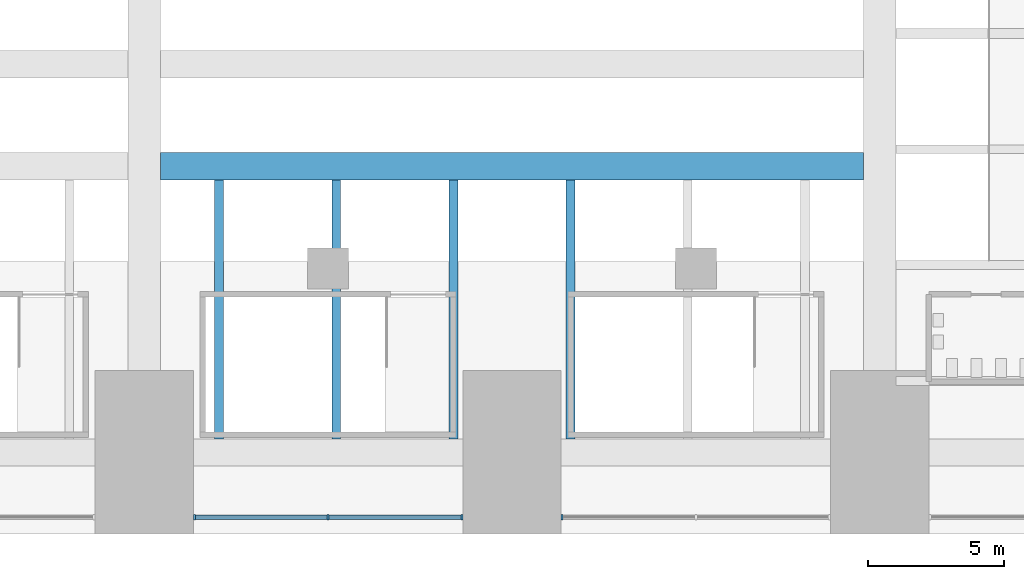
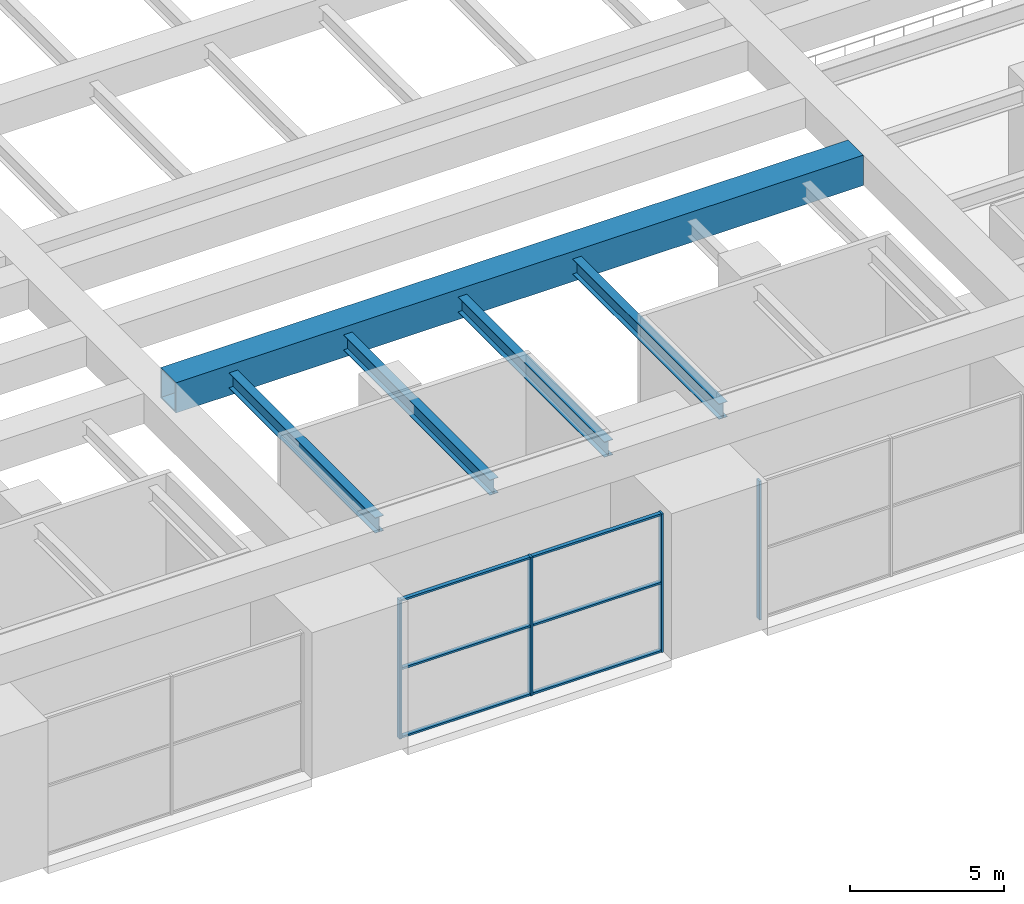
# One storey, part 6 of 45: 11 members, 4 beams, 2 elements without a shape of their own.
"""IFC4 building model written with IfcOpenShell, lengths in metres."""

from ifc_helpers import new_model, si_unit, direction, frame, origin, origin_2d, place, context, subcontext, project, spatial, rectangle, hollow_rectangle, i_section, extrude, material, layer, layer_set, material_profile, profile_set, type_object, element, aggregate, save


model = new_model("IFC4")

# Units and contexts
model_context = context("Model", 3, precision=1e-05, world=origin(), true_north=direction((0.0, 1.0)))
body_context = subcontext(model_context, "Body", "Model", "MODEL_VIEW")
ifc_project = project(units=[si_unit("LENGTHUNIT", "METRE"), si_unit("AREAUNIT", "SQUARE_METRE"), si_unit("VOLUMEUNIT", "CUBIC_METRE"), si_unit("PLANEANGLEUNIT", "RADIAN"), si_unit("MASSUNIT", "GRAM", prefix="KILO")], contexts=[model_context])

# Site, building, storey
site_placement = place(None, origin())
site = spatial("IfcSite", under=ifc_project, at=site_placement, CompositionType="ELEMENT")
building_placement = place(site_placement, origin())
building = spatial("IfcBuilding", under=site, at=building_placement, Name="Corbelhall Arena Tower", CompositionType="ELEMENT")
storey_placement = place(building_placement, frame((0.0, 0.0, 37.0)))
storey = spatial("IfcBuildingStorey", under=building, at=storey_placement, Name="L05", CompositionType="ELEMENT", Elevation=37.0)

# Curtain wall, members
ifc_material_1 = material(Name="Aluminium black anodised", Category="aluminium")
ifc_layer = layer(ifc_material_1, 0.239990234375)
ifc_layer_set = layer_set([ifc_layer], Name="EV-CW4 Arena concourse glazing")
curtain_wall_type = type_object("IfcCurtainWallType", Name="EV-CW4 Arena concourse glazing", PredefinedType="NOTDEFINED", material=ifc_layer_set)
curtain_wall_1_placement = place(storey_placement, origin())
curtain_wall_1 = element("IfcCurtainWall", 1, at=curtain_wall_1_placement, inside=storey, type_object=curtain_wall_type, Name="Curtain wall CW4", PredefinedType="NOTDEFINED")
ifc_material_profile_1 = material_profile(ifc_material_1, rectangle(XDim=0.199951171875, YDim=0.074951171875, at=origin_2d()))
ifc_profile_set_1 = profile_set([ifc_material_profile_1], Name="Aluminium black anodised")
member_type_1 = type_object("IfcMemberType", Name="EV-CW4-MULLION", PredefinedType="MULLION", material=ifc_profile_set_1)
member_1_placement = place(storey_placement, frame((1.83740234375, -38.3798828125, 0.0), z_axis=(0.0, 0.0, 1.0), x_axis=(0.0, 1.0, 0.0)))
member_1 = element("IfcMember", 2, at=member_1_placement, type_object=member_type_1, Name="CW4 mullion 1", PredefinedType="MULLION", context=body_context, shape_type="SweptSolid", body=[
    extrude(rectangle(XDim=0.199951171875, YDim=0.074951171875, at=origin_2d()), origin(), (0.0, 0.0, 1.0), 5.5),
])
member_2_placement = place(storey_placement, frame((6.75, -38.3798828125, 0.0), z_axis=(0.0, 0.0, 1.0), x_axis=(0.0, 1.0, 0.0)))
member_2 = element("IfcMember", 3, at=member_2_placement, type_object=member_type_1, Name="CW4 mullion 2", PredefinedType="MULLION", context=body_context, shape_type="SweptSolid", body=[
    extrude(rectangle(XDim=0.199951171875, YDim=0.074951171875, at=origin_2d()), origin(), (0.0, 0.0, 1.0), 5.5),
])
member_3_placement = place(storey_placement, frame((11.66259765625, -38.3798828125, 0.0), z_axis=(0.0, 0.0, 1.0), x_axis=(0.0, 1.0, 0.0)))
member_3 = element("IfcMember", 4, at=member_3_placement, type_object=member_type_1, Name="CW4 mullion 3", PredefinedType="MULLION", context=body_context, shape_type="SweptSolid", body=[
    extrude(rectangle(XDim=0.199951171875, YDim=0.074951171875, at=origin_2d()), origin(), (0.0, 0.0, 1.0), 5.5),
])

# Curtain wall, member
curtain_wall_2_placement = place(storey_placement, origin())
curtain_wall_2 = element("IfcCurtainWall", 5, at=curtain_wall_2_placement, inside=storey, type_object=curtain_wall_type, Name="Curtain wall CW4", PredefinedType="NOTDEFINED")
member_4_placement = place(storey_placement, frame((15.33740234375, -38.3798828125, 0.0), z_axis=(0.0, 0.0, 1.0), x_axis=(0.0, 1.0, 0.0)))
member_4 = element("IfcMember", 6, at=member_4_placement, type_object=member_type_1, Name="CW4 mullion 1", PredefinedType="MULLION", context=body_context, shape_type="SweptSolid", body=[
    extrude(rectangle(XDim=0.199951171875, YDim=0.074951171875, at=origin_2d()), origin(), (0.0, 0.0, 1.0), 5.5),
])
aggregate(curtain_wall_2, [member_4])

# Member
ifc_material_profile_2 = material_profile(ifc_material_1, rectangle(XDim=0.14990234375, YDim=0.074951171875, at=origin_2d()))
ifc_profile_set_2 = profile_set([ifc_material_profile_2], Name="Aluminium black anodised")
member_type_2 = type_object("IfcMemberType", Name="EV-CW4-TRANSOM", PredefinedType="USERDEFINED", material=ifc_profile_set_2)
member_5_placement = place(storey_placement, frame((1.875, -38.3798828125, 0.03759765625), z_axis=(1.0, 0.0, 0.0), x_axis=(0.0, 1.0, 0.0)))
member_5 = element("IfcMember", 7, at=member_5_placement, type_object=member_type_2, Name="CW4 transom 1.1", ObjectType="transom", PredefinedType="USERDEFINED", context=body_context, shape_type="SweptSolid", body=[
    extrude(rectangle(XDim=0.14990234375, YDim=0.074951171875, at=origin_2d()), origin(), (0.0, 0.0, 1.0), 4.83740234375),
])

member_6_placement = place(storey_placement, frame((1.875, -38.3798828125, 2.75), z_axis=(1.0, 0.0, 0.0), x_axis=(0.0, 1.0, 0.0)))
member_6 = element("IfcMember", 8, at=member_6_placement, type_object=member_type_2, Name="CW4 transom 1.2", ObjectType="transom", PredefinedType="USERDEFINED", context=body_context, shape_type="SweptSolid", body=[
    extrude(rectangle(XDim=0.14990234375, YDim=0.074951171875, at=origin_2d()), origin(), (0.0, 0.0, 1.0), 4.83740234375),
])

member_7_placement = place(storey_placement, frame((1.875, -38.3798828125, 5.46240234375), z_axis=(1.0, 0.0, 0.0), x_axis=(0.0, 1.0, 0.0)))
member_7 = element("IfcMember", 9, at=member_7_placement, type_object=member_type_2, Name="CW4 transom 1.3", ObjectType="transom", PredefinedType="USERDEFINED", context=body_context, shape_type="SweptSolid", body=[
    extrude(rectangle(XDim=0.14990234375, YDim=0.074951171875, at=origin_2d()), origin(), (0.0, 0.0, 1.0), 4.83740234375),
])

member_8_placement = place(storey_placement, frame((6.78759765625, -38.3798828125, 0.03759765625), z_axis=(1.0, 0.0, 0.0), x_axis=(0.0, 1.0, 0.0)))
member_8 = element("IfcMember", 10, at=member_8_placement, type_object=member_type_2, Name="CW4 transom 2.1", ObjectType="transom", PredefinedType="USERDEFINED", context=body_context, shape_type="SweptSolid", body=[
    extrude(rectangle(XDim=0.14990234375, YDim=0.074951171875, at=origin_2d()), origin(), (0.0, 0.0, 1.0), 4.83740234375),
])

member_9_placement = place(storey_placement, frame((6.78759765625, -38.3798828125, 2.75), z_axis=(1.0, 0.0, 0.0), x_axis=(0.0, 1.0, 0.0)))
member_9 = element("IfcMember", 11, at=member_9_placement, type_object=member_type_2, Name="CW4 transom 2.2", ObjectType="transom", PredefinedType="USERDEFINED", context=body_context, shape_type="SweptSolid", body=[
    extrude(rectangle(XDim=0.14990234375, YDim=0.074951171875, at=origin_2d()), origin(), (0.0, 0.0, 1.0), 4.83740234375),
])

member_10_placement = place(storey_placement, frame((6.78759765625, -38.3798828125, 5.46240234375), z_axis=(1.0, 0.0, 0.0), x_axis=(0.0, 1.0, 0.0)))
member_10 = element("IfcMember", 12, at=member_10_placement, type_object=member_type_2, Name="CW4 transom 2.3", ObjectType="transom", PredefinedType="USERDEFINED", context=body_context, shape_type="SweptSolid", body=[
    extrude(rectangle(XDim=0.14990234375, YDim=0.074951171875, at=origin_2d()), origin(), (0.0, 0.0, 1.0), 4.83740234375),
])

aggregate(curtain_wall_1, [member_1, member_2, member_3, member_5, member_6, member_7, member_8, member_9, member_10])

# Beams
ifc_material_2 = material(Name="Steel ASTM A992 Gr50", Category="steel")
ifc_material_profile_3 = material_profile(ifc_material_2, i_section(OverallWidth=0.323974609375, OverallDepth=0.611083984375, WebThickness=0.0126953125, FlangeThickness=0.01904296875, at=origin_2d()))
ifc_profile_set_3 = profile_set([ifc_material_profile_3], Name="Steel ASTM A992 Gr50")
beam_type = type_object("IfcBeamType", Name="PO-BEAM-W24X104", PredefinedType="BEAM", material=ifc_profile_set_3)
for number, where, z_axis, x_axis, name in (
    (13, (2.75, -35.5, 6.39453125), (0.0, 1.0, 0.0), (-1.0, 0.0, 0.0), "DECK BEAM BOT 28.1"),
    (14, (7.050048828125, -35.5, 6.39453125), (0.0, 1.0, 0.0), (-1.0, 0.0, 0.0), "DECK BEAM BOT 28.2"),
    (15, (11.35009765625, -35.5, 6.39453125), (0.0, 1.0, 0.0), (-1.0, 0.0, 0.0), "DECK BEAM BOT 28.3"),
    (16, (15.64990234375, -35.5, 6.39453125), (0.0, 1.0, 0.0), (-1.0, 0.0, 0.0), "DECK BEAM BOT 28.4"),
):
    element("IfcBeam", number, at=place(storey_placement, frame(where, z_axis=z_axis, x_axis=x_axis)), inside=storey, type_object=beam_type, Name=name, PredefinedType="BEAM", context=body_context, shape_type="SweptSolid", body=[
        extrude(i_section(OverallWidth=0.323974609375, OverallDepth=0.611083984375, WebThickness=0.0126953125, FlangeThickness=0.01904296875, at=origin_2d()), origin(), (0.0, 0.0, 1.0), 9.5),
    ])

# Member
ifc_material_3 = material(Name="Steel ASTM A572 Gr50", Category="steel")
ifc_material_profile_4 = material_profile(ifc_material_3, hollow_rectangle(XDim=1.0, YDim=1.199951171875, WallThickness=0.06005859375, at=origin_2d()))
ifc_profile_set_4 = profile_set([ifc_material_profile_4], Name="Steel ASTM A572 Gr50")
member_type_3 = type_object("IfcMemberType", Name="PO-CHORD-1200X1000X60", PredefinedType="CHORD", material=ifc_profile_set_4)
member_11_placement = place(storey_placement, frame((0.60009765625, -25.5, 6.39990234375), z_axis=(1.0, 0.0, 0.0), x_axis=(0.0, 1.0, 0.0)))
element("IfcMember", 17, at=member_11_placement, inside=storey, type_object=member_type_3, Name="TRUSS SEC-S25.50-2 BOT CHORD", PredefinedType="CHORD", context=body_context, shape_type="SweptSolid", body=[
    extrude(hollow_rectangle(XDim=1.0, YDim=1.199951171875, WallThickness=0.06005859375, at=origin_2d()), origin(), (0.0, 0.0, 1.0), 25.7998046875),
])

save(model, "model.ifc")
